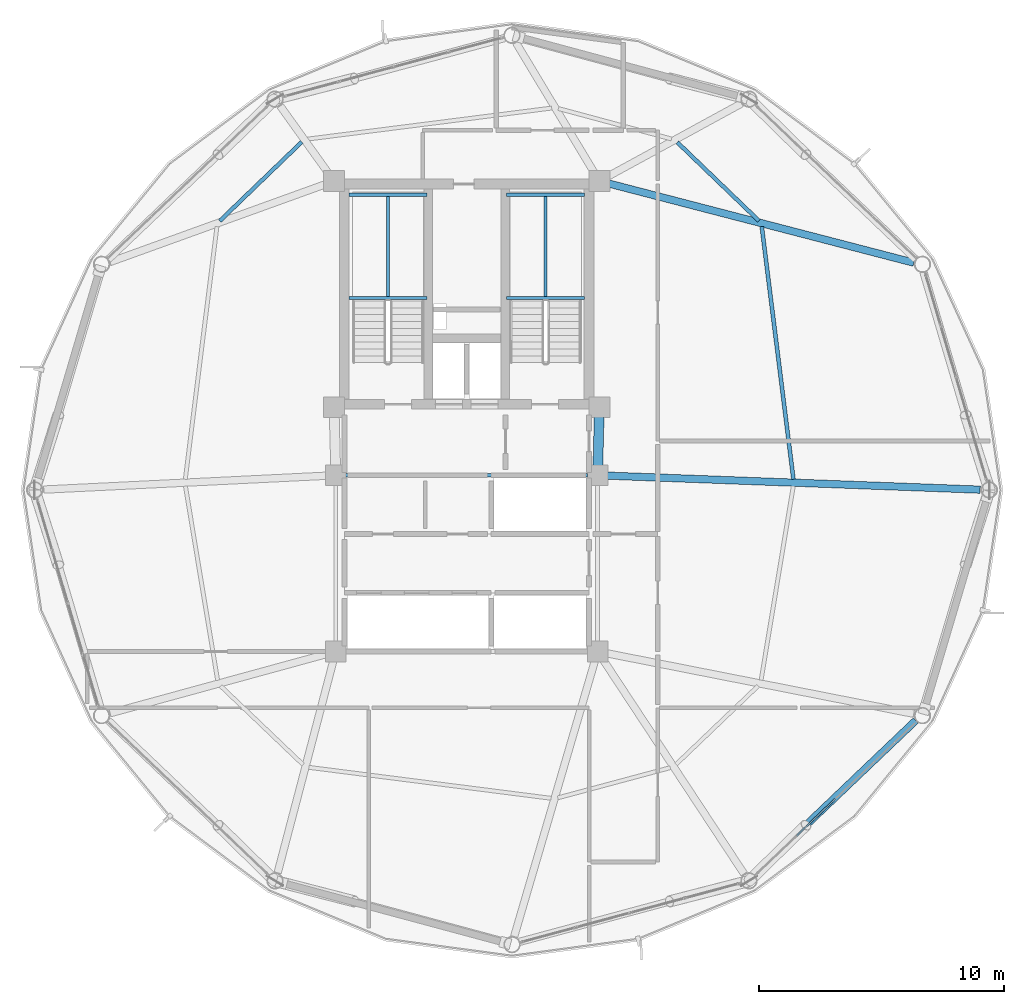
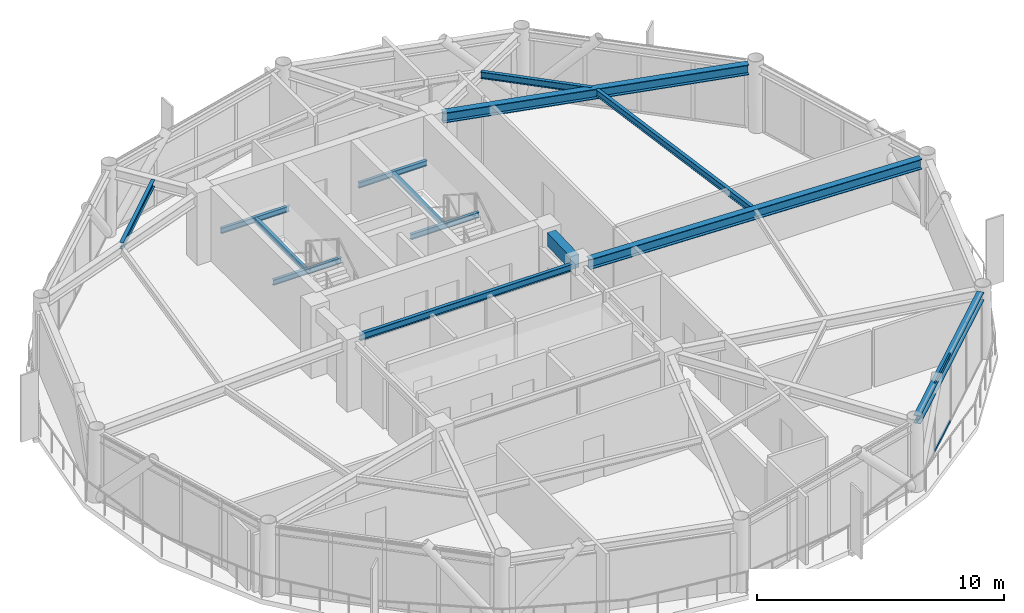
# One storey, part 14 of 28: 14 beams, 2 members, 1 element without a shape of its own.
"""IFC4 building model written with IfcOpenShell, lengths in metres."""

from ifc_helpers import new_model, si_unit, direction, frame, origin, origin_2d, place, context, subcontext, project, spatial, rectangle, hollow_rectangle, i_section, extrude, material, layer, layer_set, material_profile, profile_set, type_object, element, aggregate, save


model = new_model("IFC4")

# Units and contexts
model_context = context("Model", 3, precision=1e-05, world=origin(), true_north=direction((0.0, 1.0)))
body_context = subcontext(model_context, "Body", "Model", "MODEL_VIEW")
ifc_project = project(units=[si_unit("LENGTHUNIT", "METRE"), si_unit("AREAUNIT", "SQUARE_METRE"), si_unit("VOLUMEUNIT", "CUBIC_METRE"), si_unit("PLANEANGLEUNIT", "RADIAN"), si_unit("MASSUNIT", "GRAM", prefix="KILO")], contexts=[model_context])

# Site, building, storey
site_placement = place(None, origin())
site = spatial("IfcSite", under=ifc_project, at=site_placement, CompositionType="ELEMENT")
building_placement = place(site_placement, origin())
building = spatial("IfcBuilding", under=site, at=building_placement, Name="Varnakorn Sky Granary", CompositionType="ELEMENT")
storey_placement = place(building_placement, frame((0.0, 0.0, 193.199951171875)))
storey = spatial("IfcBuildingStorey", under=building, at=storey_placement, Name="L48", CompositionType="ELEMENT", Elevation=193.199951171875)

# Beams
ifc_material_1 = material(Name="Concrete C50/60", Category="concrete")
ifc_material_profile_1 = material_profile(ifc_material_1, rectangle(XDim=0.39990234375, YDim=0.64990234375, at=origin_2d()), Name="RC 400x650")
ifc_profile_set_1 = profile_set([ifc_material_profile_1], Name="Concrete C50/60")
beam_type_1 = type_object("IfcBeamType", Name="BM-LIN-650", PredefinedType="LINTEL", material=ifc_profile_set_1)
beam_1_placement = place(storey_placement, frame((8.409912109375, 2.97509765625, 3.03515625), z_axis=(-0.025270737467, -0.99968064392, 0.0), x_axis=(0.99968064392, -0.025270737467, 0.0)))
element("IfcBeam", 1, at=beam_1_placement, inside=storey, type_object=beam_type_1, Name="Core Spine Framing Beam 2 L48", PredefinedType="LINTEL", context=body_context, shape_type="SweptSolid", body=[
    extrude(rectangle(XDim=0.39990234375, YDim=0.64990234375, at=origin_2d()), origin(), (0.0, 0.0, 1.0), 1.970947265625),
])
ifc_material_2 = material(Name="Steel S355JR", Category="steel")
ifc_material_profile_2 = material_profile(ifc_material_2, i_section(OverallWidth=0.135009765625, OverallDepth=0.27001953125, WebThickness=0.006591796875, FlangeThickness=0.01025390625, at=origin_2d()), Name="IPE 270")
ifc_profile_set_2 = profile_set([ifc_material_profile_2], Name="Steel S355JR")
beam_type_2 = type_object("IfcBeamType", Name="BM-LND-270", PredefinedType="BEAM", material=ifc_profile_set_2)
for number, where, z_axis, x_axis, name in (
    (2, (-1.820068359375, 7.840087890625, 1.465087890625), (1.0, 0.0, 0.0), (0.0, 1.0, 0.0), "Stair ST-1 Landing Trimmer Beam A L48-1"),
    (3, (-1.820068359375, 12.06005859375, 1.465087890625), (1.0, 0.0, 0.0), (0.0, 1.0, 0.0), "Stair ST-1 Landing Trimmer Beam B L48-1"),
):
    element("IfcBeam", number, at=place(storey_placement, frame(where, z_axis=z_axis, x_axis=x_axis)), inside=storey, type_object=beam_type_2, Name=name, PredefinedType="BEAM", context=body_context, shape_type="SweptSolid", body=[
        extrude(i_section(OverallWidth=0.135009765625, OverallDepth=0.27001953125, WebThickness=0.006591796875, FlangeThickness=0.01025390625, at=origin_2d()), origin(), (0.0, 0.0, 1.0), 3.199951171875),
    ])
beam_2_placement = place(storey_placement, frame((-0.219970703125, 7.840087890625, 1.465087890625), z_axis=(0.0, 1.0, 0.0), x_axis=(-1.0, 0.0, 0.0)))
element("IfcBeam", 4, at=beam_2_placement, inside=storey, type_object=beam_type_2, Name="Stair ST-1 Landing Cross Beam C L48-1", PredefinedType="BEAM", context=body_context, shape_type="SweptSolid", body=[
    extrude(i_section(OverallWidth=0.135009765625, OverallDepth=0.27001953125, WebThickness=0.006591796875, FlangeThickness=0.01025390625, at=origin_2d()), origin(), (0.0, 0.0, 1.0), 4.219970703125),
])
for number, where, z_axis, x_axis, name in (
    (5, (4.6201171875, 7.840087890625, 1.465087890625), (1.0, 0.0, 0.0), (0.0, 1.0, 0.0), "Stair ST-2 Landing Trimmer Beam A L48-1"),
    (6, (4.6201171875, 12.06005859375, 1.465087890625), (1.0, 0.0, 0.0), (0.0, 1.0, 0.0), "Stair ST-2 Landing Trimmer Beam B L48-1"),
):
    element("IfcBeam", number, at=place(storey_placement, frame(where, z_axis=z_axis, x_axis=x_axis)), inside=storey, type_object=beam_type_2, Name=name, PredefinedType="BEAM", context=body_context, shape_type="SweptSolid", body=[
        extrude(i_section(OverallWidth=0.135009765625, OverallDepth=0.27001953125, WebThickness=0.006591796875, FlangeThickness=0.01025390625, at=origin_2d()), origin(), (0.0, 0.0, 1.0), 3.199951171875),
    ])
beam_3_placement = place(storey_placement, frame((6.219970703125, 7.840087890625, 1.465087890625), z_axis=(0.0, 1.0, 0.0), x_axis=(-1.0, 0.0, 0.0)))
element("IfcBeam", 7, at=beam_3_placement, inside=storey, type_object=beam_type_2, Name="Stair ST-2 Landing Cross Beam C L48-1", PredefinedType="BEAM", context=body_context, shape_type="SweptSolid", body=[
    extrude(i_section(OverallWidth=0.135009765625, OverallDepth=0.27001953125, WebThickness=0.006591796875, FlangeThickness=0.01025390625, at=origin_2d()), origin(), (0.0, 0.0, 1.0), 4.219970703125),
])
ifc_material_profile_3 = material_profile(ifc_material_2, i_section(OverallWidth=0.300048828125, OverallDepth=0.5, WebThickness=0.014404296875, FlangeThickness=0.028076171875, at=origin_2d()), Name="HE 500 B")
ifc_profile_set_3 = profile_set([ifc_material_profile_3], Name="Steel S355JR")
beam_type_3 = type_object("IfcBeamType", Name="BM-RAD-Z4", PredefinedType="BEAM", material=ifc_profile_set_3)
beam_4_placement = place(storey_placement, frame((8.754638671875, 0.584716796875, 3.110107421875), z_axis=(0.999292505792, -0.037609677856, 0.0), x_axis=(0.037609677856, 0.999292505792, 0.0)))
element("IfcBeam", 8, at=beam_4_placement, inside=storey, type_object=beam_type_3, Name="Radial Floor Girder RG01 L48", PredefinedType="BEAM", context=body_context, shape_type="SweptSolid", body=[
    extrude(i_section(OverallWidth=0.300048828125, OverallDepth=0.5, WebThickness=0.014404296875, FlangeThickness=0.028076171875, at=origin_2d()), origin(), (0.0, 0.0, 1.0), 15.2353515625),
])
beam_5_placement = place(storey_placement, frame((8.81201171875, 12.518310546875, 3.110107421875), z_axis=(0.96792020553, -0.251257787397, 0.0), x_axis=(0.251257787397, 0.96792020553, 0.0)))
element("IfcBeam", 9, at=beam_5_placement, inside=storey, type_object=beam_type_3, Name="Radial Floor Girder RG02 L48", PredefinedType="BEAM", context=body_context, shape_type="SweptSolid", body=[
    extrude(i_section(OverallWidth=0.300048828125, OverallDepth=0.5, WebThickness=0.014404296875, FlangeThickness=0.028076171875, at=origin_2d()), origin(), (0.0, 0.0, 1.0), 12.867919921875),
])
ifc_material_profile_4 = material_profile(ifc_material_2, i_section(OverallWidth=0.159912109375, OverallDepth=0.330078125, WebThickness=0.007568359375, FlangeThickness=0.011474609375, at=origin_2d()), Name="IPE 330")
ifc_profile_set_4 = profile_set([ifc_material_profile_4], Name="Steel S355JR")
beam_type_4 = type_object("IfcBeamType", Name="BM-SEC-Z4", PredefinedType="BEAM", material=ifc_profile_set_4)
beam_6_placement = place(storey_placement, frame((16.349609375, 0.437255859375, 3.195068359375), z_axis=(-0.124228198679, 0.992253674547, 0.0), x_axis=(-0.992253674547, -0.124228198679, 0.0)))
element("IfcBeam", 10, at=beam_6_placement, inside=storey, type_object=beam_type_4, Name="Secondary Floor Chord Beam MSB01 L48", PredefinedType="BEAM", context=body_context, shape_type="SweptSolid", body=[
    extrude(i_section(OverallWidth=0.159912109375, OverallDepth=0.330078125, WebThickness=0.007568359375, FlangeThickness=0.011474609375, at=origin_2d()), origin(), (0.0, 0.0, 1.0), 10.406005859375),
])
beam_7_placement = place(storey_placement, frame((14.938720703125, 10.998779296875, 3.195068359375), z_axis=(-0.720739807872, 0.693205690505, 0.0), x_axis=(-0.693205690505, -0.720739807872, 0.0)))
element("IfcBeam", 11, at=beam_7_placement, inside=storey, type_object=beam_type_4, Name="Secondary Floor Chord Beam MSB02 L48", PredefinedType="BEAM", context=body_context, shape_type="SweptSolid", body=[
    extrude(i_section(OverallWidth=0.159912109375, OverallDepth=0.330078125, WebThickness=0.007568359375, FlangeThickness=0.011474609375, at=origin_2d()), origin(), (0.0, 0.0, 1.0), 4.62841796875),
])
beam_8_placement = place(storey_placement, frame((-3.7392578125, 14.221923828125, 3.195068359375), z_axis=(-0.720007297801, -0.693966491347, 0.0), x_axis=(0.693966491347, -0.720007297801, 0.0)))
element("IfcBeam", 12, at=beam_8_placement, inside=storey, type_object=beam_type_4, Name="Secondary Floor Chord Beam MSB05 L48", PredefinedType="BEAM", context=body_context, shape_type="SweptSolid", body=[
    extrude(i_section(OverallWidth=0.159912109375, OverallDepth=0.330078125, WebThickness=0.007568359375, FlangeThickness=0.011474609375, at=origin_2d()), origin(), (0.0, 0.0, 1.0), 4.650146484375),
])
beam_9_placement = place(storey_placement, frame((-1.945068359375, 0.60009765625, 3.195068359375), z_axis=(1.0, 0.0, 0.0), x_axis=(0.0, 1.0, 0.0)))
element("IfcBeam", 13, at=beam_9_placement, inside=storey, type_object=beam_type_4, Name="Core Spine Framing Beam 5 L48", PredefinedType="BEAM", context=body_context, shape_type="SweptSolid", body=[
    extrude(i_section(OverallWidth=0.159912109375, OverallDepth=0.330078125, WebThickness=0.007568359375, FlangeThickness=0.011474609375, at=origin_2d()), origin(), (0.0, 0.0, 1.0), 9.89013671875),
])
ifc_material_profile_5 = material_profile(ifc_material_2, i_section(OverallWidth=0.300048828125, OverallDepth=0.39990234375, WebThickness=0.013427734375, FlangeThickness=0.02392578125, at=origin_2d()), Name="HE 400 B")
ifc_profile_set_5 = profile_set([ifc_material_profile_5], Name="Steel S355JR")
beam_type_5 = type_object("IfcBeamType", Name="BM-SPD-Z4", PredefinedType="SPANDREL", material=ifc_profile_set_5)
beam_10_placement = place(storey_placement, frame((14.732421875, -15.727783203125, 3.16015625), z_axis=(0.723716437857, 0.69009746962, 0.0), x_axis=(-0.69009746962, 0.723716437857, 0.0)))
element("IfcBeam", 14, at=beam_10_placement, inside=storey, type_object=beam_type_5, Name="Perimeter Spandrel Ring Beam RB11 L48", PredefinedType="SPANDREL", context=body_context, shape_type="SweptSolid", body=[
    extrude(i_section(OverallWidth=0.300048828125, OverallDepth=0.39990234375, WebThickness=0.013427734375, FlangeThickness=0.02392578125, at=origin_2d()), origin(), (0.0, 0.0, 1.0), 9.135498046875),
])

# Curtain wall, members
ifc_material_3 = material(Name="Anodised Bronze Aluminium Alloy 6063-T6", Category="aluminium")
ifc_layer = layer(ifc_material_3, 0.169921875, Name="Anodised Bronze Aluminium Alloy 6063-T6")
ifc_layer_set = layer_set([ifc_layer], Name="Anodised Bronze Aluminium Alloy 6063-T6")
curtain_wall_type = type_object("IfcCurtainWallType", Name="CW-LAB-1", PredefinedType="USERDEFINED", material=ifc_layer_set)
curtain_wall_placement = place(storey_placement, origin())
curtain_wall = element("IfcCurtainWall", 15, at=curtain_wall_placement, inside=storey, type_object=curtain_wall_type, Name="Unitised Curtain Wall CW5 CW-L48-B11", ObjectType="CURTAIN WALL", PredefinedType="USERDEFINED")
ifc_material_profile_6 = material_profile(ifc_material_3, hollow_rectangle(XDim=0.070068359375, YDim=0.139892578125, WallThickness=0.00341796875, at=origin_2d()), Name="ALU TRAN 70x140")
ifc_profile_set_6 = profile_set([ifc_material_profile_6], Name="Anodised Bronze Aluminium Alloy 6063-T6")
member_type = type_object("IfcMemberType", Name="CW-LAB-1-TRAN", PredefinedType="USERDEFINED", material=ifc_profile_set_6)
member_1_placement = place(storey_placement, frame((18.060546875, -12.621337890625, 0.03515625), z_axis=(-0.724299782659, -0.689485188268, 0.0), x_axis=(0.689485188268, -0.724299782659, 0.0)))
member_1 = element("IfcMember", 16, at=member_1_placement, type_object=member_type, Name="CW5 transom 3.1", ObjectType="TRANSOM", PredefinedType="USERDEFINED", context=body_context, shape_type="SweptSolid", body=[
    extrude(hollow_rectangle(XDim=0.070068359375, YDim=0.139892578125, WallThickness=0.00341796875, at=origin_2d()), origin(), (0.0, 0.0, 1.0), 2.18798828125),
])
member_2_placement = place(storey_placement, frame((18.060546875, -12.621337890625, 3.324951171875), z_axis=(-0.724299782659, -0.689485188268, 0.0), x_axis=(0.689485188268, -0.724299782659, 0.0)))
member_2 = element("IfcMember", 17, at=member_2_placement, type_object=member_type, Name="CW5 transom 3.2", ObjectType="TRANSOM", PredefinedType="USERDEFINED", context=body_context, shape_type="SweptSolid", body=[
    extrude(hollow_rectangle(XDim=0.070068359375, YDim=0.139892578125, WallThickness=0.00341796875, at=origin_2d()), origin(), (0.0, 0.0, 1.0), 2.18798828125),
])
aggregate(curtain_wall, [member_1, member_2])

save(model, "model.ifc")
